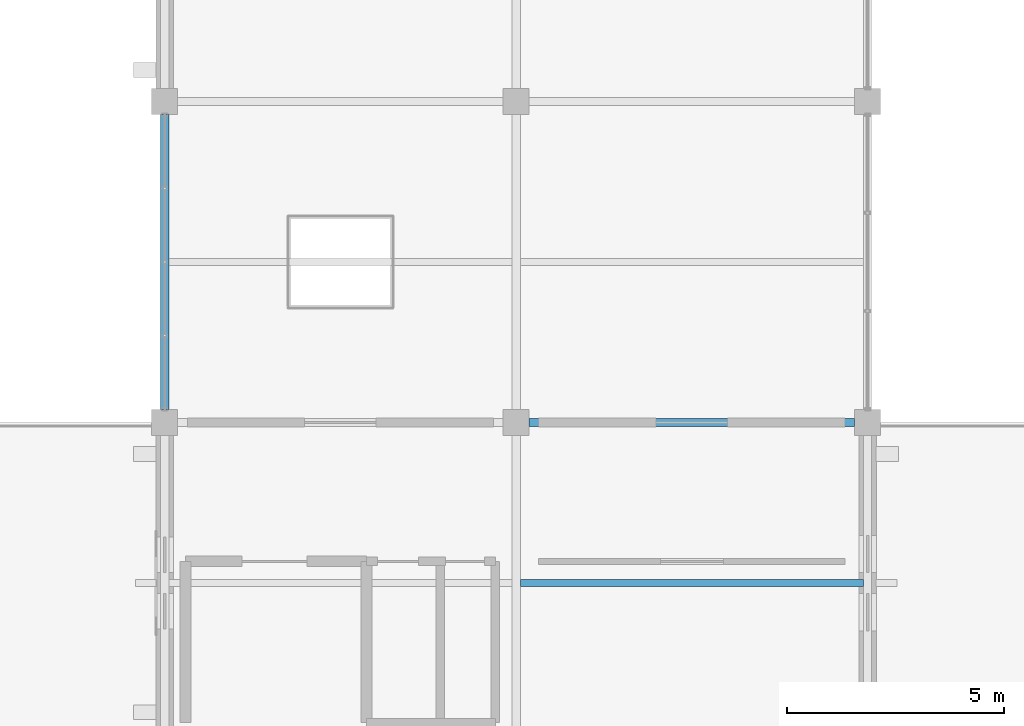
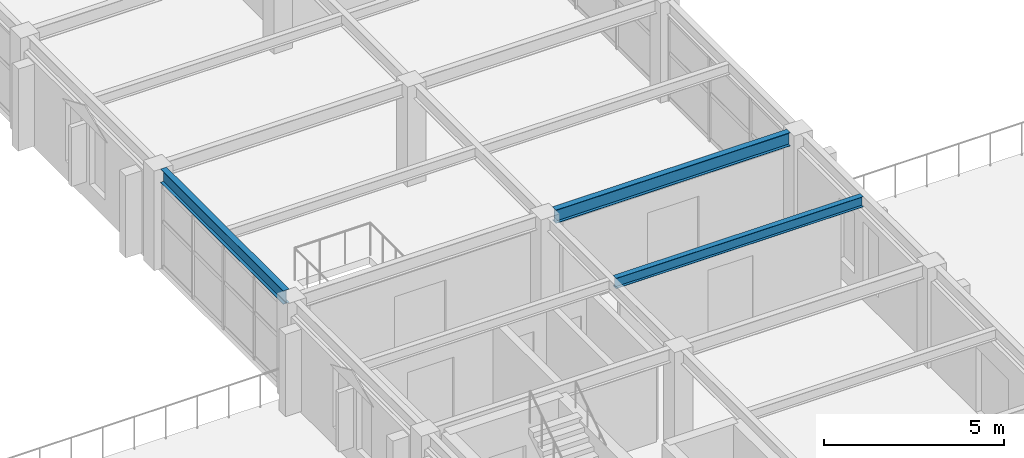
# One storey, part 15 of 121: 3 beams.
"""IFC4 building model written with IfcOpenShell, lengths in metres."""

from ifc_helpers import new_model, si_unit, direction, frame, origin, origin_2d, place, context, subcontext, project, spatial, i_section, extrude, material, material_profile, profile_set, type_object, element, save


model = new_model("IFC4")

# Units and contexts
model_context = context("Model", 3, precision=1e-05, world=origin(), true_north=direction((0.0, 1.0)))
body_context = subcontext(model_context, "Body", "Model", "MODEL_VIEW")
ifc_project = project(units=[si_unit("LENGTHUNIT", "METRE"), si_unit("AREAUNIT", "SQUARE_METRE"), si_unit("VOLUMEUNIT", "CUBIC_METRE"), si_unit("PLANEANGLEUNIT", "RADIAN"), si_unit("MASSUNIT", "GRAM", prefix="KILO")], contexts=[model_context])

# Site, building, storey
site_placement = place(None, origin())
site = spatial("IfcSite", under=ifc_project, at=site_placement, CompositionType="ELEMENT")
building_placement = place(site_placement, origin())
building = spatial("IfcBuilding", under=site, at=building_placement, Name="Cimatlan Art Gallery", CompositionType="ELEMENT")
storey_placement = place(building_placement, frame((0.0, 0.0, 10.199951171875)))
storey = spatial("IfcBuildingStorey", under=building, at=storey_placement, Name="L02", CompositionType="ELEMENT", Elevation=10.199951171875)

# Beams
ifc_material = material(Name="Steel ASTM A992 Grade 50", Category="steel")
ifc_material_profile_1 = material_profile(ifc_material, i_section(OverallWidth=0.1708984375, OverallDepth=0.35107421875, WebThickness=0.0068359375, FlangeThickness=0.009765625, at=origin_2d()), Name="W14X30")
ifc_profile_set_1 = profile_set([ifc_material_profile_1], Name="Steel ASTM A992 Grade 50")
beam_type_1 = type_object("IfcBeamType", Name="BM-STL-W14X30", PredefinedType="JOIST", material=ifc_profile_set_1)
beam_1_placement = place(storey_placement, frame((42.595458984375, 35.0, 3.194580078125), z_axis=(1.0, 0.0, 0.0), x_axis=(0.0, 1.0, 0.0)))
element("IfcBeam", 1, at=beam_1_placement, inside=storey, type_object=beam_type_1, Name="JST-L02-05-04", PredefinedType="JOIST", context=body_context, shape_type="SweptSolid", body=[
    extrude(i_section(OverallWidth=0.1708984375, OverallDepth=0.35107421875, WebThickness=0.0068359375, FlangeThickness=0.009765625, at=origin_2d()), origin(), (0.0, 0.0, 1.0), 7.908935546875),
])
ifc_material_profile_2 = material_profile(ifc_material, i_section(OverallWidth=0.19091796875, OverallDepth=0.45703125, WebThickness=0.009033203125, FlangeThickness=0.014404296875, at=origin_2d()), Name="W18X50")
ifc_profile_set_2 = profile_set([ifc_material_profile_2], Name="Steel ASTM A992 Grade 50")
beam_type_2 = type_object("IfcBeamType", Name="BM-STL-W18X50", PredefinedType="BEAM", material=ifc_profile_set_2)
beam_2_placement = place(storey_placement, frame((34.39990234375, 39.0, 3.1416015625), z_axis=(0.0, 1.0, 0.0), x_axis=(-1.0, 0.0, 0.0)))
element("IfcBeam", 2, at=beam_2_placement, inside=storey, type_object=beam_type_2, Name="BM-Y-L02-04-05", PredefinedType="BEAM", context=body_context, shape_type="SweptSolid", body=[
    extrude(i_section(OverallWidth=0.19091796875, OverallDepth=0.45703125, WebThickness=0.009033203125, FlangeThickness=0.014404296875, at=origin_2d()), origin(), (0.0, 0.0, 1.0), 6.800048828125),
])
beam_3_placement = place(storey_placement, frame((42.800048828125, 38.699951171875, 3.1416015625), z_axis=(1.0, 0.0, 0.0), x_axis=(0.0, 1.0, 0.0)))
element("IfcBeam", 3, at=beam_3_placement, inside=storey, type_object=beam_type_2, Name="BM-X-L02-05-05", PredefinedType="BEAM", context=body_context, shape_type="SweptSolid", body=[
    extrude(i_section(OverallWidth=0.19091796875, OverallDepth=0.45703125, WebThickness=0.009033203125, FlangeThickness=0.014404296875, at=origin_2d()), origin(), (0.0, 0.0, 1.0), 7.5),
])

save(model, "model.ifc")
